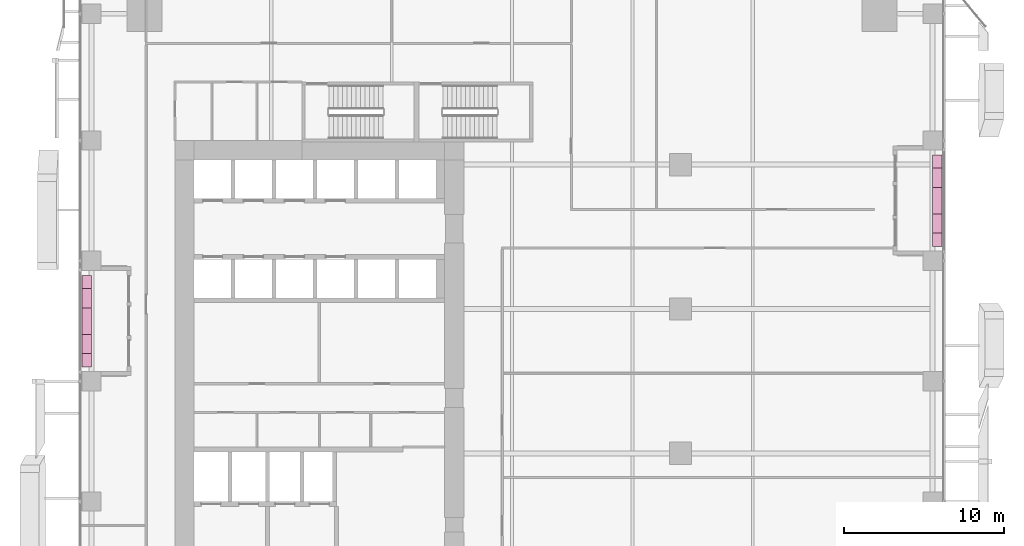
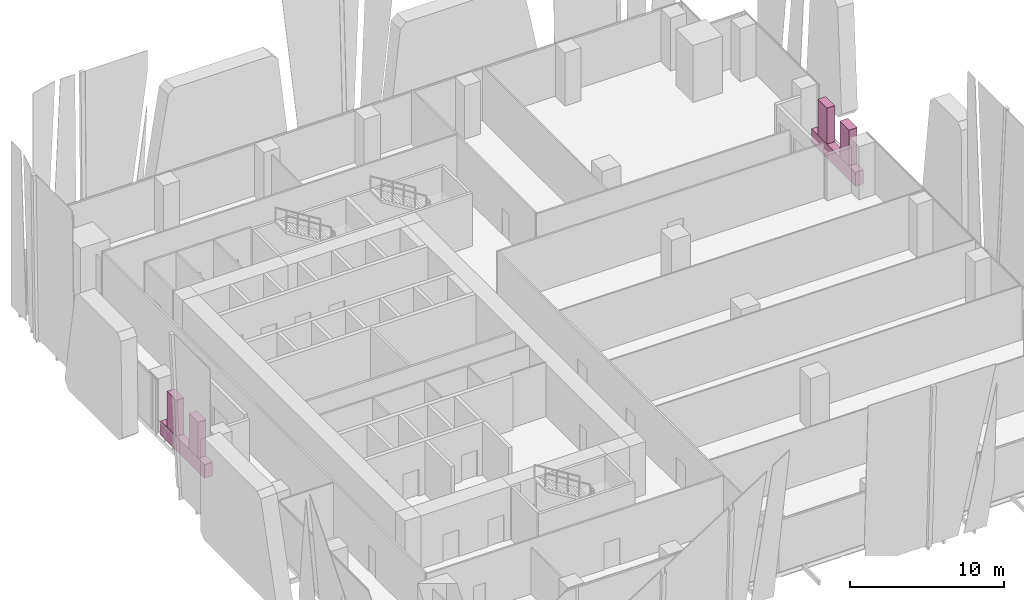
# One storey, part 37 of 37: 6 furnishings.
"""IFC4 building model written with IfcOpenShell, lengths in metres."""

from ifc_helpers import new_model, si_unit, direction, frame, origin, origin_2d, place, context, subcontext, project, spatial, rectangle, extrude, source, transform, mapped, material, type_object, element, save


model = new_model("IFC4")

# Units and contexts
model_context = context("Model", 3, precision=1e-05, world=origin(), true_north=direction((0.0, 1.0)))
body_context = subcontext(model_context, "Body", "Model", "MODEL_VIEW")
ifc_project = project(units=[si_unit("LENGTHUNIT", "METRE"), si_unit("AREAUNIT", "SQUARE_METRE"), si_unit("VOLUMEUNIT", "CUBIC_METRE"), si_unit("PLANEANGLEUNIT", "RADIAN"), si_unit("MASSUNIT", "GRAM", prefix="KILO")], contexts=[model_context])

# Site, building, storey
site_placement = place(None, origin())
site = spatial("IfcSite", under=ifc_project, at=site_placement, CompositionType="ELEMENT")
building_placement = place(site_placement, origin())
building = spatial("IfcBuilding", under=site, at=building_placement, Name="Khomas Fold Tower", CompositionType="ELEMENT")
storey_placement = place(building_placement, frame((0.0, 0.0, 60.0)))
storey = spatial("IfcBuildingStorey", under=building, at=storey_placement, Name="L12", CompositionType="ELEMENT", Elevation=60.0)

# Furnishings
ifc_material_1 = material(Name="Precast concrete C40/50", Category="concrete")
furnishing_element_type_1 = type_object("IfcFurnishingElementType", Name="BL-Structural planter box", material=ifc_material_1)
shared_shape_1 = source(origin(), body_context, "Body", "SweptSolid", [
    extrude(rectangle(XDim=5.699951171875, YDim=0.60009765625, at=origin_2d()), origin(), (0.0, 0.0, 1.0), 1.10009765625),
])
for number, where, z_axis, x_axis, name in (
    (1, (53.5, 38.25, -0.045166015625), (0.0, 0.0, 1.0), (0.0, 1.0, 0.0), "PLANTER BAL-L12-E4"),
    (2, (0.5, 30.75, -0.045166015625), (0.0, 0.0, 1.0), (0.0, 1.0, 0.0), "PLANTER BAL-L12-W3"),
):
    element("IfcFurnishingElement", number, at=place(storey_placement, frame(where, z_axis=z_axis, x_axis=x_axis)), inside=storey, type_object=furnishing_element_type_1, Name=name, context=body_context, shape_type="MappedRepresentation", body=[
        mapped(shared_shape_1, transform((0.0, 0.0, 0.0))),
    ])
ifc_material_2 = material(Name="Planting")
furnishing_element_type_2 = type_object("IfcFurnishingElementType", Name="BL-Tree Karee", material=ifc_material_2)
shared_shape_2 = source(origin(), body_context, "Body", "SweptSolid", [
    extrude(rectangle(XDim=1.199951171875, YDim=0.60009765625, at=origin_2d()), origin(), (0.0, 0.0, 1.0), 2.844970703125),
])
furnishing_1_placement = place(storey_placement, frame((53.5, 36.824951171875, 1.05517578125), z_axis=(0.0, 0.0, 1.0), x_axis=(0.0, 1.0, 0.0)))
element("IfcFurnishingElement", 3, at=furnishing_1_placement, inside=storey, type_object=furnishing_element_type_2, Name="PLANTER (TREE) Karee BAL-L12-E4-1", context=body_context, shape_type="MappedRepresentation", body=[
    mapped(shared_shape_2, transform((0.0, 0.0, 0.0))),
])
ifc_material_3 = material(Name="Planting")
furnishing_element_type_3 = type_object("IfcFurnishingElementType", Name="BL-Tree Wild olive", material=ifc_material_3)
furnishing_2_placement = place(storey_placement, frame((53.5, 39.675048828125, 1.05517578125), z_axis=(0.0, 0.0, 1.0), x_axis=(0.0, 1.0, 0.0)))
element("IfcFurnishingElement", 4, at=furnishing_2_placement, inside=storey, type_object=furnishing_element_type_3, Name="PLANTER (TREE) Wild olive BAL-L12-E4-2", context=body_context, shape_type="MappedRepresentation", body=[
    mapped(shared_shape_2, transform((0.0, 0.0, 0.0))),
])
furnishing_3_placement = place(storey_placement, frame((0.5, 29.324951171875, 1.05517578125), z_axis=(0.0, 0.0, 1.0), x_axis=(0.0, 1.0, 0.0)))
element("IfcFurnishingElement", 5, at=furnishing_3_placement, inside=storey, type_object=furnishing_element_type_2, Name="PLANTER (TREE) Karee BAL-L12-W3-1", context=body_context, shape_type="MappedRepresentation", body=[
    mapped(shared_shape_2, transform((0.0, 0.0, 0.0))),
])
furnishing_4_placement = place(storey_placement, frame((0.5, 32.175048828125, 1.05517578125), z_axis=(0.0, 0.0, 1.0), x_axis=(0.0, 1.0, 0.0)))
element("IfcFurnishingElement", 6, at=furnishing_4_placement, inside=storey, type_object=furnishing_element_type_3, Name="PLANTER (TREE) Wild olive BAL-L12-W3-2", context=body_context, shape_type="MappedRepresentation", body=[
    mapped(shared_shape_2, transform((0.0, 0.0, 0.0))),
])

save(model, "model.ifc")
